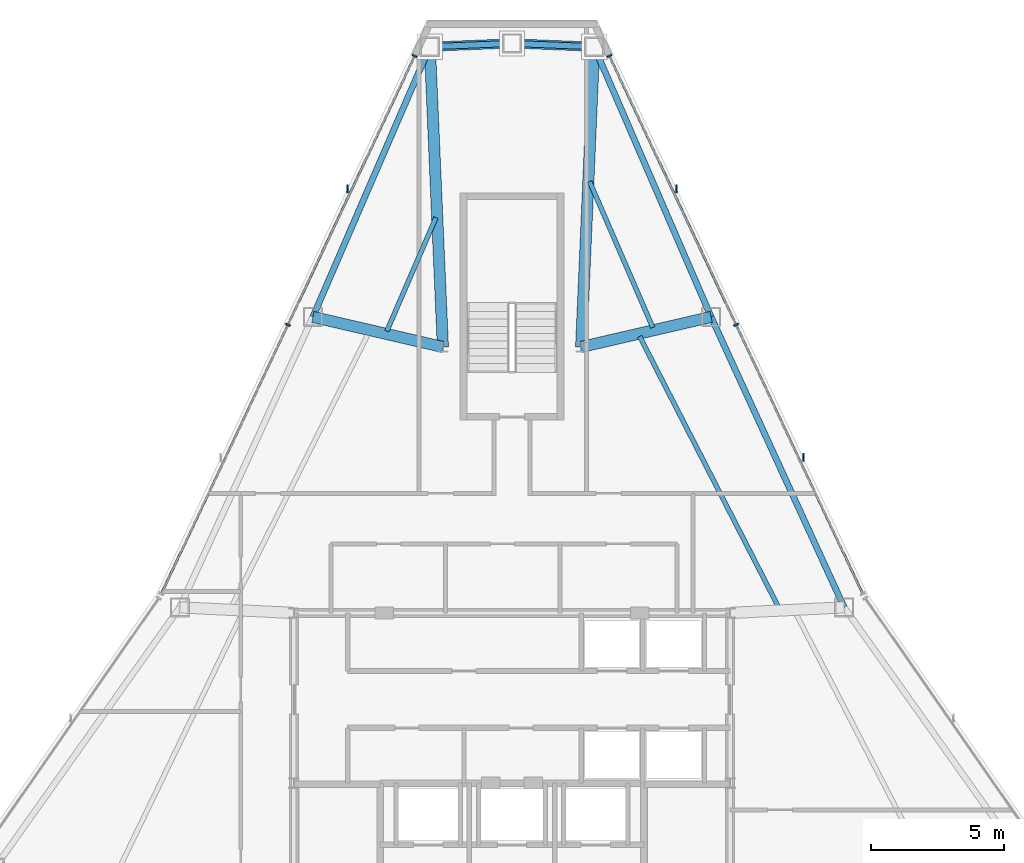
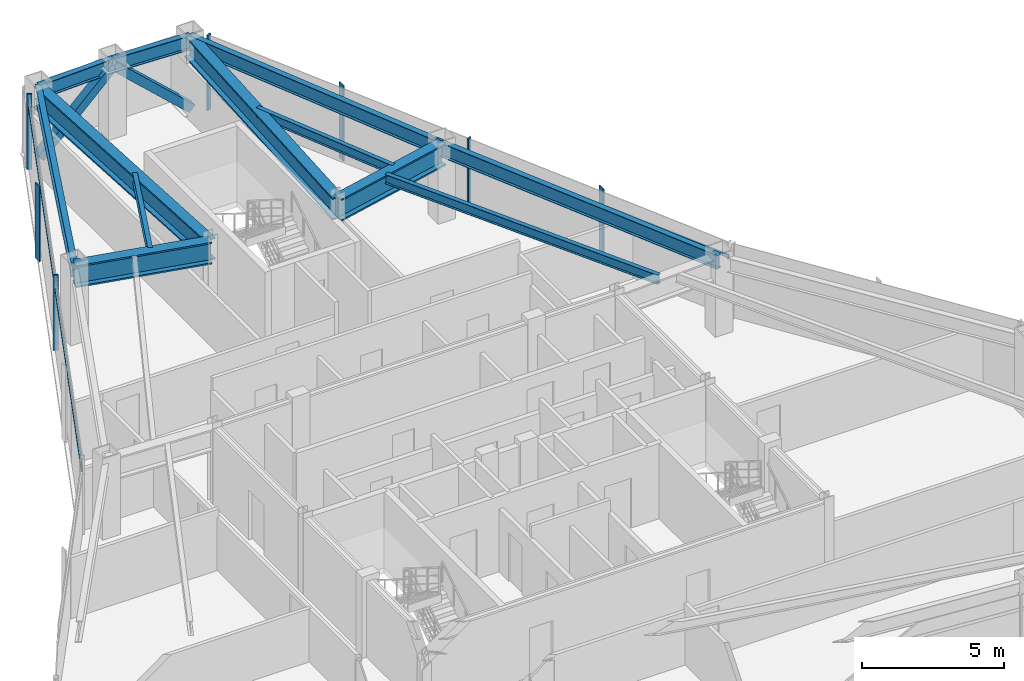
# One storey, part 7 of 12: 12 beams, 11 members, 2 elements without a shape of their own.
"""IFC4 building model written with IfcOpenShell, lengths in metres."""

from ifc_helpers import new_model, si_unit, direction, frame, origin, origin_2d, place, context, subcontext, project, spatial, rectangle, hollow_rectangle, i_section, extrude, source, transform, mapped, material, layer, layer_set, material_profile, profile_set, type_object, type_shapes, element, aggregate, save


model = new_model("IFC4")

# Units and contexts
model_context = context("Model", 3, precision=1e-05, world=origin(), true_north=direction((0.0, 1.0)))
body_context = subcontext(model_context, "Body", "Model", "MODEL_VIEW")
ifc_project = project(units=[si_unit("LENGTHUNIT", "METRE"), si_unit("AREAUNIT", "SQUARE_METRE"), si_unit("VOLUMEUNIT", "CUBIC_METRE"), si_unit("PLANEANGLEUNIT", "RADIAN"), si_unit("MASSUNIT", "GRAM", prefix="KILO")], contexts=[model_context])

# Site, building, storey
site_placement = place(None, origin())
site = spatial("IfcSite", under=ifc_project, at=site_placement, CompositionType="ELEMENT")
building_placement = place(site_placement, origin())
building = spatial("IfcBuilding", under=site, at=building_placement, Name="Varakhsha Concourse Tower", CompositionType="ELEMENT")
storey_placement = place(building_placement, frame((0.0, 0.0, 225.89990234375)))
storey = spatial("IfcBuildingStorey", under=building, at=storey_placement, Name="L64", CompositionType="ELEMENT", Elevation=225.89990234375)

# Beams
ifc_material_1 = material(Name="Structural Steel ASTM A992 Grade 50", Category="steel")
ifc_material_profile_1 = material_profile(ifc_material_1, i_section(OverallWidth=0.177978515625, OverallDepth=0.406982421875, WebThickness=0.008056640625, FlangeThickness=0.012939453125, at=origin_2d()), Name="W16X40")
ifc_profile_set_1 = profile_set([ifc_material_profile_1], Name="Structural Steel ASTM A992 Grade 50")
beam_type_1 = type_object("IfcBeamType", Name="BM-JST-W16X40", PredefinedType="JOIST", material=ifc_profile_set_1)
beam_1_placement = place(storey_placement, frame((37.140625, 46.0673828125, 3.046630859375), z_axis=(-0.397166916615, -0.917746392173, 0.0), x_axis=(0.917746392173, -0.397166916615, 0.0)))
element("IfcBeam", 1, at=beam_1_placement, inside=storey, type_object=beam_type_1, Name="BM-TJST-L64-03", PredefinedType="JOIST", context=body_context, shape_type="SweptSolid", body=[
    extrude(i_section(OverallWidth=0.177978515625, OverallDepth=0.406982421875, WebThickness=0.008056640625, FlangeThickness=0.012939453125, at=origin_2d()), origin(), (0.0, 0.0, 1.0), 4.65087890625),
])
beam_2_placement = place(storey_placement, frame((50.037353515625, 31.390869140625, 3.046630859375), z_axis=(-0.456398720102, 0.889775369568, 0.0), x_axis=(-0.889775369568, -0.456398720102, 0.0)))
element("IfcBeam", 2, at=beam_2_placement, inside=storey, type_object=beam_type_1, Name="BM-TJST-L64-17", PredefinedType="JOIST", context=body_context, shape_type="SweptSolid", body=[
    extrude(i_section(OverallWidth=0.177978515625, OverallDepth=0.406982421875, WebThickness=0.008056640625, FlangeThickness=0.012939453125, at=origin_2d()), origin(), (0.0, 0.0, 1.0), 11.47412109375),
])
beam_3_placement = place(storey_placement, frame((45.293212890625, 41.93505859375, 3.046630859375), z_axis=(-0.397223519068, 0.917721894639, 0.0), x_axis=(-0.917721894639, -0.397223519068, 0.0)))
element("IfcBeam", 3, at=beam_3_placement, inside=storey, type_object=beam_type_1, Name="BM-TJST-L64-18", PredefinedType="JOIST", context=body_context, shape_type="SweptSolid", body=[
    extrude(i_section(OverallWidth=0.177978515625, OverallDepth=0.406982421875, WebThickness=0.008056640625, FlangeThickness=0.012939453125, at=origin_2d()), origin(), (0.0, 0.0, 1.0), 5.97900390625),
])
ifc_material_profile_2 = material_profile(ifc_material_1, i_section(OverallWidth=0.423095703125, OverallDepth=0.947998046875, WebThickness=0.0380859375, FlangeThickness=0.06396484375, at=origin_2d()), Name="W36X302")
ifc_profile_set_2 = profile_set([ifc_material_profile_2], Name="Structural Steel ASTM A992 Grade 50")
beam_type_2 = type_object("IfcBeamType", Name="BM-OUTR-W36X302", PredefinedType="USERDEFINED", material=ifc_profile_set_2)
for number, where, z_axis, x_axis, name in (
    (4, (42.60009765625, 41.199951171875, 2.776123046875), (0.043353794227, 0.999059782258, 0.0), (-0.999059782258, 0.043353794227, 0.0), "L64 Radial Floor Girder 01"),
    (5, (37.39990234375, 41.199951171875, 2.776123046875), (-0.043353794227, 0.999059782258, 0.0), (-0.999059782258, -0.043353794227, 0.0), "L64 Radial Floor Girder 03"),
):
    element("IfcBeam", number, at=place(storey_placement, frame(where, z_axis=z_axis, x_axis=x_axis)), inside=storey, type_object=beam_type_2, Name=name, ObjectType="GIRDER", PredefinedType="USERDEFINED", context=body_context, shape_type="SweptSolid", body=[
        extrude(i_section(OverallWidth=0.423095703125, OverallDepth=0.947998046875, WebThickness=0.0380859375, FlangeThickness=0.06396484375, at=origin_2d()), origin(), (0.0, 0.0, 1.0), 11.30224609375),
    ])
for number, where, z_axis, x_axis, name in (
    (6, (37.39990234375, 41.199951171875, 2.776123046875), (-0.974191491968, 0.225723142316, 0.0), (-0.225723142316, -0.974191491968, 0.0), "L64 Radial Floor Girder 04"),
    (7, (42.60009765625, 41.199951171875, 2.776123046875), (0.974191491968, 0.225723142316, 0.0), (-0.225723142316, 0.974191491968, 0.0), "L64 Radial Floor Girder 18"),
):
    element("IfcBeam", number, at=place(storey_placement, frame(where, z_axis=z_axis, x_axis=x_axis)), inside=storey, type_object=beam_type_2, Name=name, ObjectType="GIRDER", PredefinedType="USERDEFINED", context=body_context, shape_type="SweptSolid", body=[
        extrude(i_section(OverallWidth=0.423095703125, OverallDepth=0.947998046875, WebThickness=0.0380859375, FlangeThickness=0.06396484375, at=origin_2d()), origin(), (0.0, 0.0, 1.0), 5.016357421875),
    ])
ifc_material_profile_3 = material_profile(ifc_material_1, i_section(OverallWidth=0.22900390625, OverallDepth=0.612060546875, WebThickness=0.011962890625, FlangeThickness=0.02001953125, at=origin_2d()), Name="W24X84")
ifc_profile_set_3 = profile_set([ifc_material_profile_3], Name="Structural Steel ASTM A992 Grade 50")
beam_type_3 = type_object("IfcBeamType", Name="BM-SPAN-W24X84", PredefinedType="SPANDREL", material=ifc_profile_set_3)
for number, where, z_axis, x_axis, name in (
    (8, (43.090087890625, 52.491455078125, 2.944091796875), (-0.999170021385, 0.040734117961, 0.0), (-0.040734117961, -0.999170021385, 0.0), "BM-SPAN-L64-01"),
    (9, (40.0, 52.617431640625, 2.944091796875), (-0.999170021385, -0.040734117961, 0.0), (0.040734117961, -0.999170021385, 0.0), "BM-SPAN-L64-02"),
):
    element("IfcBeam", number, at=place(storey_placement, frame(where, z_axis=z_axis, x_axis=x_axis)), inside=storey, type_object=beam_type_3, Name=name, PredefinedType="SPANDREL", context=body_context, shape_type="SweptSolid", body=[
        extrude(i_section(OverallWidth=0.22900390625, OverallDepth=0.612060546875, WebThickness=0.011962890625, FlangeThickness=0.02001953125, at=origin_2d()), origin(), (0.0, 0.0, 1.0), 3.0927734375),
    ])
beam_4_placement = place(storey_placement, frame((36.909912109375, 52.491455078125, 2.944091796875), z_axis=(-0.397201381513, -0.917731476263, 0.0), x_axis=(0.917731476263, -0.397201381513, 0.0)))
element("IfcBeam", 10, at=beam_4_placement, inside=storey, type_object=beam_type_3, Name="BM-SPAN-L64-03", PredefinedType="SPANDREL", context=body_context, shape_type="SweptSolid", body=[
    extrude(i_section(OverallWidth=0.22900390625, OverallDepth=0.612060546875, WebThickness=0.011962890625, FlangeThickness=0.02001953125, at=origin_2d()), origin(), (0.0, 0.0, 1.0), 11.06982421875),
])
beam_5_placement = place(storey_placement, frame((52.489990234375, 31.4111328125, 2.944091796875), z_axis=(-0.416476249185, 0.909146596466, 0.0), x_axis=(-0.909146596466, -0.416476249185, 0.0)))
element("IfcBeam", 11, at=beam_5_placement, inside=storey, type_object=beam_type_3, Name="BM-SPAN-L64-17", PredefinedType="SPANDREL", context=body_context, shape_type="SweptSolid", body=[
    extrude(i_section(OverallWidth=0.22900390625, OverallDepth=0.612060546875, WebThickness=0.011962890625, FlangeThickness=0.02001953125, at=origin_2d()), origin(), (0.0, 0.0, 1.0), 12.012451171875),
])
beam_6_placement = place(storey_placement, frame((47.487060546875, 42.332275390625, 2.944091796875), z_axis=(-0.397201381513, 0.917731476263, 0.0), x_axis=(-0.917731476263, -0.397201381513, 0.0)))
element("IfcBeam", 12, at=beam_6_placement, inside=storey, type_object=beam_type_3, Name="BM-SPAN-L64-18", PredefinedType="SPANDREL", context=body_context, shape_type="SweptSolid", body=[
    extrude(i_section(OverallWidth=0.22900390625, OverallDepth=0.612060546875, WebThickness=0.011962890625, FlangeThickness=0.02001953125, at=origin_2d()), origin(), (0.0, 0.0, 1.0), 11.06982421875),
])

# Members
ifc_material_2 = material(Name="Structural Steel ASTM A500 Grade C", Category="steel")
ifc_material_profile_4 = material_profile(ifc_material_2, hollow_rectangle(XDim=0.35009765625, YDim=0.35009765625, WallThickness=0.01611328125, at=origin_2d()), Name="HSS 350x350x16")
ifc_profile_set_4 = profile_set([ifc_material_profile_4], Name="Structural Steel ASTM A500 Grade C")
member_type_1 = type_object("IfcMemberType", Name="MB-TUBE-HSS350", PredefinedType="BRACE", material=ifc_profile_set_4)
shared_shape_1 = source(origin(), body_context, "Body", "SweptSolid", [
    extrude(hollow_rectangle(XDim=0.35009765625, YDim=0.35009765625, WallThickness=0.01611328125, at=origin_2d()), origin(), (0.0, 0.0, 1.0), 4.192138671875),
])
type_shapes(member_type_1, [shared_shape_1])
for number, where, z_axis, x_axis, name in (
    (13, (43.090087890625, 52.491455078125, 0.1201171875), (-0.737118493094, 0.030050813181, 0.675095012399), (-0.040734117961, -0.999170021385, 0.0), "L64 Wind-Corner Tube Brace B01"),
    (14, (36.909912109375, 52.491455078125, 0.1201171875), (0.737118493094, 0.030050813181, 0.675095012399), (-0.040734117961, 0.999170021385, 0.0), "L64 Wind-Corner Tube Brace B02"),
):
    element("IfcMember", number, at=place(storey_placement, frame(where, z_axis=z_axis, x_axis=x_axis)), inside=storey, type_object=member_type_1, Name=name, PredefinedType="BRACE", context=body_context, shape_type="MappedRepresentation", body=[
        mapped(shared_shape_1, transform((0.0, 0.0, 0.0), scale=1.0)),
    ])

# Curtain wall, members
ifc_material_3 = material(Name="Anodised Bronze Architectural Aluminium AA 6063-T6", Category="aluminium")
ifc_layer = layer(ifc_material_3, 0.199951171875, Name="CW-SYS-05")
ifc_layer_set = layer_set([ifc_layer], Name="Anodised Bronze Architectural Aluminium AA 6063-T6")
curtain_wall_type = type_object("IfcCurtainWallType", Name="CW-SYS-05", PredefinedType="NOTDEFINED", material=ifc_layer_set)
curtain_wall_1_placement = place(storey_placement, origin())
curtain_wall_1 = element("IfcCurtainWall", 15, at=curtain_wall_1_placement, inside=storey, type_object=curtain_wall_type, Name="L64 Crystal Curtain Wall F2", PredefinedType="NOTDEFINED")
ifc_material_profile_5 = material_profile(ifc_material_3, rectangle(XDim=0.06494140625, YDim=0.179931640625, at=origin_2d()), Name="CWM-180X65")
ifc_profile_set_5 = profile_set([ifc_material_profile_5], Name="Anodised Bronze Architectural Aluminium AA 6063-T6")
member_type_2 = type_object("IfcMemberType", Name="CWM-180X65", PredefinedType="MULLION", material=ifc_profile_set_5)
shared_shape_2 = source(origin(), body_context, "Body", "SweptSolid", [
    extrude(rectangle(XDim=0.06494140625, YDim=0.179931640625, at=origin_2d()), origin(), (0.0, 0.0, 1.0), 3.25),
])
type_shapes(member_type_2, [shared_shape_2])
member_1_placement = place(storey_placement, frame((31.575927734375, 42.032958984375, 0.0), z_axis=(0.0, 0.0, 1.0), x_axis=(0.426172477405, 0.904641928888, 0.0)))
member_1 = element("IfcMember", 16, at=member_1_placement, type_object=member_type_2, Name="CW-L64-F2 Mullion 01", PredefinedType="MULLION", context=body_context, shape_type="MappedRepresentation", body=[
    mapped(shared_shape_2, transform((0.0, 0.0, 0.0), scale=1.0)),
])
member_2_placement = place(storey_placement, frame((36.339599609375, 52.14453125, 0.0), z_axis=(0.0, 0.0, 1.0), x_axis=(0.426172477405, 0.904641928888, 0.0)))
member_2 = element("IfcMember", 17, at=member_2_placement, type_object=member_type_2, Name="CW-L64-F2 Mullion 02", PredefinedType="MULLION", context=body_context, shape_type="MappedRepresentation", body=[
    mapped(shared_shape_2, transform((0.0, 0.0, 0.0), scale=1.0)),
])

curtain_wall_2_placement = place(storey_placement, origin())
curtain_wall_2 = element("IfcCurtainWall", 18, at=curtain_wall_2_placement, inside=storey, type_object=curtain_wall_type, Name="L64 Crystal Curtain Wall F9", PredefinedType="NOTDEFINED")
member_3_placement = place(storey_placement, frame((43.660400390625, 52.14453125, 0.0), z_axis=(0.0, 0.0, 1.0), x_axis=(0.426172477405, -0.904641928888, 0.0)))
member_3 = element("IfcMember", 19, at=member_3_placement, type_object=member_type_2, Name="CW-L64-F9 Mullion 00", PredefinedType="MULLION", context=body_context, shape_type="MappedRepresentation", body=[
    mapped(shared_shape_2, transform((0.0, 0.0, 0.0), scale=1.0)),
])
member_4_placement = place(storey_placement, frame((48.423828125, 42.032958984375, 0.0), z_axis=(0.0, 0.0, 1.0), x_axis=(0.426172477405, -0.904641928888, 0.0)))
member_4 = element("IfcMember", 20, at=member_4_placement, type_object=member_type_2, Name="CW-L64-F9 Mullion 01", PredefinedType="MULLION", context=body_context, shape_type="MappedRepresentation", body=[
    mapped(shared_shape_2, transform((0.0, 0.0, 0.0), scale=1.0)),
])

# Member
ifc_material_profile_6 = material_profile(ifc_material_3, rectangle(XDim=0.054931640625, YDim=0.300048828125, at=origin_2d()), Name="FIN-BRZ-300")
ifc_profile_set_6 = profile_set([ifc_material_profile_6], Name="Anodised Bronze Architectural Aluminium AA 6063-T6")
member_type_3 = type_object("IfcMemberType", Name="FIN-BRZ-300", PredefinedType="USERDEFINED", material=ifc_profile_set_6)
shared_shape_3 = source(origin(), body_context, "Body", "SweptSolid", [
    extrude(rectangle(XDim=0.054931640625, YDim=0.300048828125, at=origin_2d()), origin(), (0.0, 0.0, 1.0), 3.25),
])
type_shapes(member_type_3, [shared_shape_3])
member_5_placement = place(storey_placement, frame((33.80859375, 47.1591796875, 0.0), z_axis=(0.0, 0.0, 1.0), x_axis=(1.0, 0.0, 0.0)))
member_5 = element("IfcMember", 21, at=member_5_placement, type_object=member_type_3, Name="L64 Anodised Bronze Solar Fin F2-2", ObjectType="SOLAR FIN", PredefinedType="USERDEFINED", context=body_context, shape_type="MappedRepresentation", body=[
    mapped(shared_shape_3, transform((0.0, 0.0, 0.0), scale=1.0)),
])

member_6_placement = place(storey_placement, frame((46.19140625, 47.1591796875, 0.0), z_axis=(0.0, 0.0, 1.0), x_axis=(1.0, 0.0, 0.0)))
member_6 = element("IfcMember", 22, at=member_6_placement, type_object=member_type_3, Name="L64 Anodised Bronze Solar Fin F9-1", ObjectType="SOLAR FIN", PredefinedType="USERDEFINED", context=body_context, shape_type="MappedRepresentation", body=[
    mapped(shared_shape_3, transform((0.0, 0.0, 0.0), scale=1.0)),
])

member_7_placement = place(storey_placement, frame((50.955078125, 37.04736328125, 0.0), z_axis=(0.0, 0.0, 1.0), x_axis=(1.0, 0.0, 0.0)))
member_7 = element("IfcMember", 23, at=member_7_placement, type_object=member_type_3, Name="L64 Anodised Bronze Solar Fin F9-2", ObjectType="SOLAR FIN", PredefinedType="USERDEFINED", context=body_context, shape_type="MappedRepresentation", body=[
    mapped(shared_shape_3, transform((0.0, 0.0, 0.0), scale=1.0)),
])

ifc_material_profile_7 = material_profile(ifc_material_3, rectangle(XDim=0.06005859375, YDim=0.139892578125, at=origin_2d()), Name="CWT-140X60")
ifc_profile_set_7 = profile_set([ifc_material_profile_7], Name="Anodised Bronze Architectural Aluminium AA 6063-T6")
member_type_4 = type_object("IfcMemberType", Name="CWT-140X60", PredefinedType="USERDEFINED", material=ifc_profile_set_7)
shared_shape_4 = source(origin(), body_context, "Body", "SweptSolid", [
    extrude(rectangle(XDim=0.06005859375, YDim=0.139892578125, at=origin_2d()), origin(), (0.0, 0.0, 1.0), 22.35498046875),
])
type_shapes(member_type_4, [shared_shape_4])
member_8_placement = place(storey_placement, frame((26.8125, 31.92138671875, 2.60009765625), z_axis=(0.426175154781, 0.904640667584, 0.0), x_axis=(-0.904640667584, 0.426175154781, 0.0)))
member_8 = element("IfcMember", 24, at=member_8_placement, type_object=member_type_4, Name="CW-L64-F2 Transom 01", ObjectType="TRANSOM", PredefinedType="USERDEFINED", context=body_context, shape_type="MappedRepresentation", body=[
    mapped(shared_shape_4, transform((0.0, 0.0, 0.0), scale=1.0)),
])

aggregate(curtain_wall_1, [member_1, member_2, member_8, member_5])

member_9_placement = place(storey_placement, frame((43.660400390625, 52.14453125, 2.60009765625), z_axis=(0.426175154781, -0.904640667584, 0.0), x_axis=(0.904640667584, 0.426175154781, 0.0)))
member_9 = element("IfcMember", 25, at=member_9_placement, type_object=member_type_4, Name="CW-L64-F9 Transom 01", ObjectType="TRANSOM", PredefinedType="USERDEFINED", context=body_context, shape_type="MappedRepresentation", body=[
    mapped(shared_shape_4, transform((0.0, 0.0, 0.0), scale=1.0)),
])

aggregate(curtain_wall_2, [member_3, member_4, member_9, member_6, member_7])

save(model, "model.ifc")
